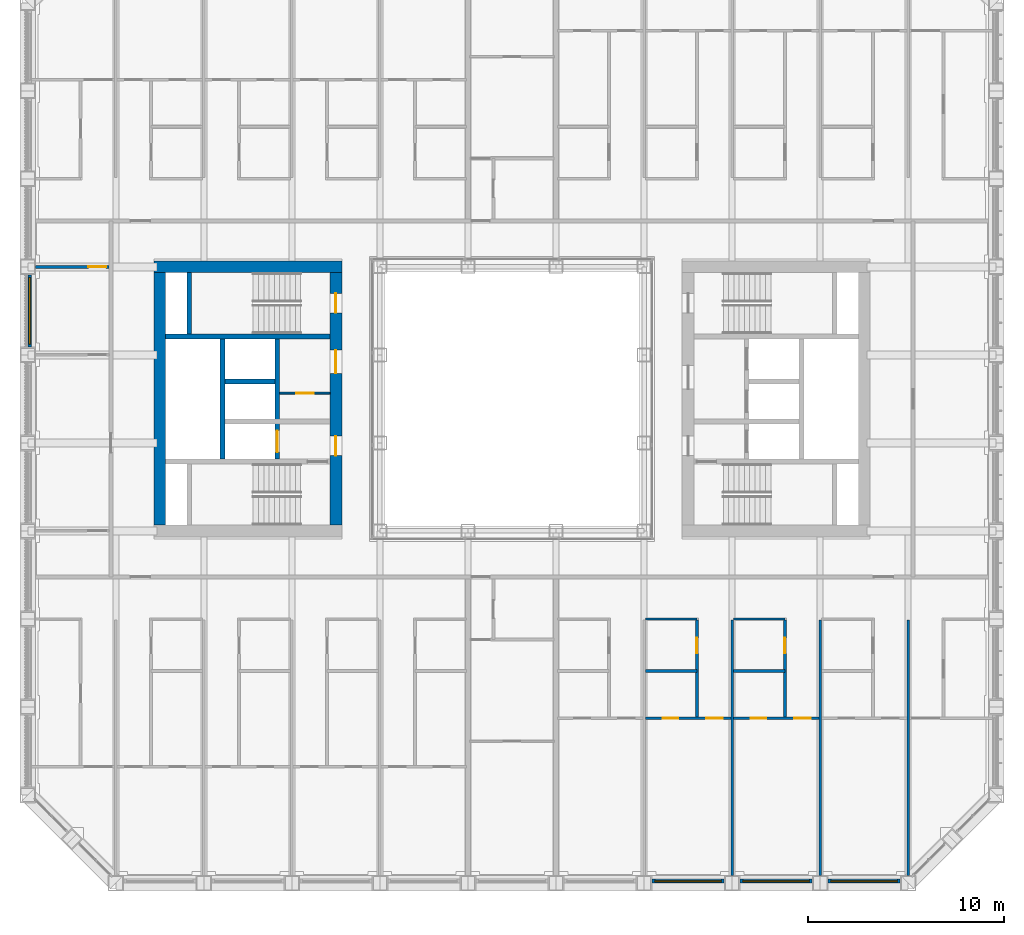
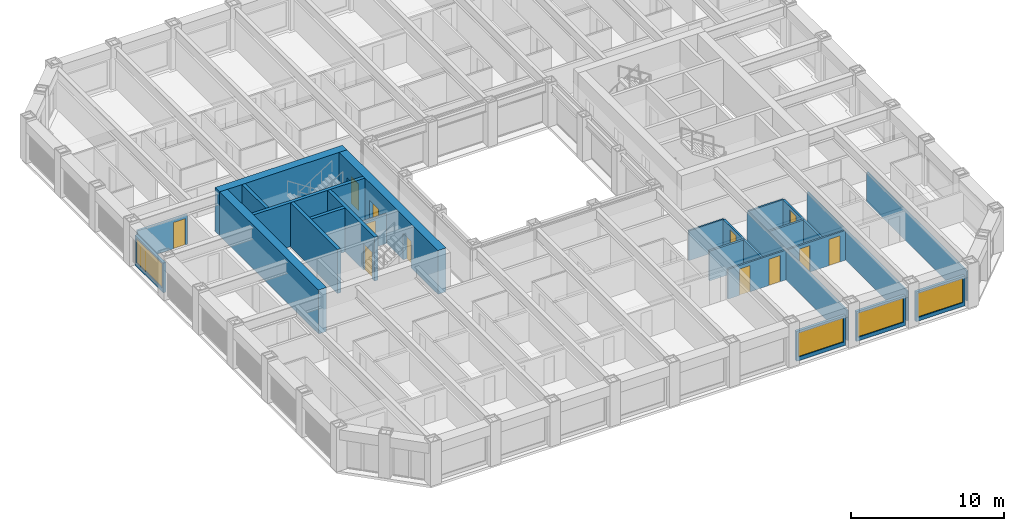
# One storey, part 11 of 21: 25 walls, 12 doors, 4 windows, 16 openings.
"""IFC4 building model written with IfcOpenShell, lengths in metres."""

from ifc_helpers import new_model, si_unit, direction, frame, frame_2d, origin, place, context, subcontext, project, spatial, rectangle, extrude, material, layer, layer_set, type_object, element, fill, save


model = new_model("IFC4")

# Units and contexts
model_context = context("Model", 3, precision=1e-05, world=origin(), true_north=direction((0.0, 1.0)))
body_context = subcontext(model_context, "Body", "Model", "MODEL_VIEW")
ifc_project = project(units=[si_unit("LENGTHUNIT", "METRE"), si_unit("AREAUNIT", "SQUARE_METRE"), si_unit("VOLUMEUNIT", "CUBIC_METRE"), si_unit("PLANEANGLEUNIT", "RADIAN"), si_unit("MASSUNIT", "GRAM", prefix="KILO")], contexts=[model_context])

# Site, building, storey
site_placement = place(None, origin())
site = spatial("IfcSite", under=ifc_project, at=site_placement, CompositionType="ELEMENT")
building_placement = place(site_placement, origin())
building = spatial("IfcBuilding", under=site, at=building_placement, Name="Msasa Ring Tower", CompositionType="ELEMENT")
storey_placement = place(building_placement, frame((0.0, 0.0, 100.0)))
storey = spatial("IfcBuildingStorey", under=building, at=storey_placement, Name="L26", CompositionType="ELEMENT", Elevation=100.0)

# Wall
ifc_material_1 = material(Name="Concrete C60/75", Category="concrete")
ifc_layer_1 = layer(ifc_material_1, 0.60009765625)
ifc_layer_set_1 = layer_set([ifc_layer_1], Name="CW1 CORE WALL 600")
wall_type_1 = type_object("IfcWallType", Name="CW1 CORE WALL 600", PredefinedType="SHEAR", material=ifc_layer_set_1)
wall_1_placement = place(storey_placement, frame((-8.699951171875, 6.75, 0.0), z_axis=(0.0, 0.0, 1.0), x_axis=(-1.0, 0.0, 0.0)))
element("IfcWall", 1, at=wall_1_placement, inside=storey, type_object=wall_type_1, Name="W core wall N L26", PredefinedType="SHEAR", context=body_context, shape_type="SweptSolid", body=[
    extrude(rectangle(XDim=9.60009765625, YDim=0.60009765625, at=frame_2d((4.800048828125, 0.0))), origin(), (0.0, 0.0, 1.0), 3.5),
])

# Wall, openings, doors
wall_2_placement = place(storey_placement, frame((-9.0, -6.449951171875, 0.0), z_axis=(0.0, 0.0, 1.0), x_axis=(0.0, 1.0, 0.0)))
wall_2 = element("IfcWall", 2, at=wall_2_placement, inside=storey, type_object=wall_type_1, Name="W core wall W L26", PredefinedType="SHEAR", context=body_context, shape_type="SweptSolid", body=[
    extrude(rectangle(XDim=12.89990234375, YDim=0.60009765625, at=frame_2d((6.449951171875, 0.0))), origin(), (0.0, 0.0, 1.0), 3.5),
])
opening_1_placement = place(wall_2_placement, frame((3.550048828125, 0.0, 0.0)))
opening_1 = element("IfcOpeningElement", 3, at=opening_1_placement, cuts=wall_2, Name="Opening RH-044", PredefinedType="OPENING", context=body_context, shape_type="SweptSolid", body=[
    extrude(rectangle(XDim=1.0, YDim=2.10009765625, at=frame_2d((0.5, 1.050048828125))), frame((0.0, 0.31005859375, 0.0), z_axis=(0.0, -1.0, 0.0), x_axis=(1.0, 0.0, 0.0)), (0.0, 0.0, 1.0), 0.6201171875),
])
opening_2_placement = place(wall_2_placement, frame((7.75, 0.0, 0.0)))
opening_2 = element("IfcOpeningElement", 4, at=opening_2_placement, cuts=wall_2, Name="Opening RH-039", PredefinedType="OPENING", context=body_context, shape_type="SweptSolid", body=[
    extrude(rectangle(XDim=1.199951171875, YDim=2.10009765625, at=frame_2d((0.60009765625, 1.050048828125))), frame((0.0, 0.31005859375, 0.0), z_axis=(0.0, -1.0, 0.0), x_axis=(1.0, 0.0, 0.0)), (0.0, 0.0, 1.0), 0.6201171875),
])
opening_3_placement = place(wall_2_placement, frame((10.85009765625, 0.0, 0.0)))
opening_3 = element("IfcOpeningElement", 5, at=opening_3_placement, cuts=wall_2, Name="Opening RH-036", PredefinedType="OPENING", context=body_context, shape_type="SweptSolid", body=[
    extrude(rectangle(XDim=1.0, YDim=2.10009765625, at=frame_2d((0.5, 1.050048828125))), frame((0.0, 0.31005859375, 0.0), z_axis=(0.0, -1.0, 0.0), x_axis=(1.0, 0.0, 0.0)), (0.0, 0.0, 1.0), 0.6201171875),
])
ifc_material_2 = material(Name="Timber door leaf in a steel frame", Category="steel")
door_type_1 = type_object("IfcDoorType", Name="D26 WIDE SERVICE ROOM DOOR 1200x2100", OperationType="SINGLE_SWING_LEFT", PredefinedType="DOOR", material=ifc_material_2)
door_1_placement = place(opening_2_placement, origin())
door_1 = element("IfcDoor", 6, at=door_1_placement, inside=storey, type_object=door_type_1, Name="Door L26-WCR", OperationType="SINGLE_SWING_RIGHT", OverallHeight=2.10009765625, OverallWidth=1.199951171875, PredefinedType="DOOR", context=body_context, shape_type="SweptSolid", body=[
    extrude(rectangle(XDim=1.199951171875, YDim=2.10009765625, at=frame_2d((0.60009765625, 1.050048828125))), frame((0.0, 0.02490234375, 0.0), z_axis=(0.0, -1.0, 0.0), x_axis=(1.0, 0.0, 0.0)), (0.0, 0.0, 1.0), 0.050048828125),
])
fill(opening_2, door_1)
ifc_material_3 = material(Name="Timber door leaf in a steel frame", Category="steel")
door_type_2 = type_object("IfcDoorType", Name="D4 LOBBY DOOR 1000x2100", OperationType="SINGLE_SWING_LEFT", PredefinedType="DOOR", material=ifc_material_3)
door_2_placement = place(opening_1_placement, origin())
door_2 = element("IfcDoor", 7, at=door_2_placement, inside=storey, type_object=door_type_2, Name="Door L26-WFFL", OperationType="SINGLE_SWING_LEFT", OverallHeight=2.10009765625, OverallWidth=1.0, PredefinedType="DOOR", context=body_context, shape_type="SweptSolid", body=[
    extrude(rectangle(XDim=1.0, YDim=2.10009765625, at=frame_2d((0.5, 1.050048828125))), frame((0.0, 0.02490234375, 0.0), z_axis=(0.0, -1.0, 0.0), x_axis=(1.0, 0.0, 0.0)), (0.0, 0.0, 1.0), 0.050048828125),
])
fill(opening_1, door_2)
ifc_material_4 = material(Name="Timber door leaf in a steel frame", Category="steel")
door_type_3 = type_object("IfcDoorType", Name="D6 STAIR DOOR 1000x2100", OperationType="SINGLE_SWING_LEFT", PredefinedType="DOOR", material=ifc_material_4)
door_3_placement = place(opening_3_placement, origin())
door_3 = element("IfcDoor", 8, at=door_3_placement, inside=storey, type_object=door_type_3, Name="Door L26-WSTB", OperationType="SINGLE_SWING_RIGHT", OverallHeight=2.10009765625, OverallWidth=1.0, PredefinedType="DOOR", context=body_context, shape_type="SweptSolid", body=[
    extrude(rectangle(XDim=1.0, YDim=2.10009765625, at=frame_2d((0.5, 1.050048828125))), frame((0.0, 0.02490234375, 0.0), z_axis=(0.0, -1.0, 0.0), x_axis=(1.0, 0.0, 0.0)), (0.0, 0.0, 1.0), 0.050048828125),
])
fill(opening_3, door_3)

# Walls
wall_3_placement = place(storey_placement, frame((-18.0, -6.449951171875, 0.0), z_axis=(0.0, 0.0, 1.0), x_axis=(0.0, 1.0, 0.0)))
element("IfcWall", 9, at=wall_3_placement, inside=storey, type_object=wall_type_1, Name="W core wall E L26", PredefinedType="SHEAR", context=body_context, shape_type="SweptSolid", body=[
    extrude(rectangle(XDim=12.89990234375, YDim=0.60009765625, at=frame_2d((6.449951171875, 0.0))), origin(), (0.0, 0.0, 1.0), 3.5),
])
ifc_material_5 = material(Name="Concrete C60/75", Category="concrete")
ifc_layer_2 = layer(ifc_material_5, 0.25)
ifc_layer_set_2 = layer_set([ifc_layer_2], Name="CW4 CORE INNER WALL 250")
wall_type_2 = type_object("IfcWallType", Name="CW4 CORE INNER WALL 250", PredefinedType="SHEAR", material=ifc_layer_set_2)
wall_4_placement = place(storey_placement, frame((-9.300048828125, 3.199951171875, 0.0), z_axis=(0.0, 0.0, 1.0), x_axis=(-1.0, 0.0, 0.0)))
element("IfcWall", 10, at=wall_4_placement, inside=storey, type_object=wall_type_2, Name="W core wall STAIRB L26", PredefinedType="SHEAR", context=body_context, shape_type="SweptSolid", body=[
    extrude(rectangle(XDim=8.39990234375, YDim=0.25, at=frame_2d((4.199951171875, 0.0))), origin(), (0.0, 0.0, 1.0), 3.5),
])
wall_5_placement = place(storey_placement, frame((-16.5, 3.324951171875, 0.0), z_axis=(0.0, 0.0, 1.0), x_axis=(0.0, 1.0, 0.0)))
element("IfcWall", 11, at=wall_5_placement, inside=storey, type_object=wall_type_2, Name="W core wall RISERB L26", PredefinedType="SHEAR", context=body_context, shape_type="SweptSolid", body=[
    extrude(rectangle(XDim=3.125, YDim=0.25, at=frame_2d((1.5625, 0.0))), origin(), (0.0, 0.0, 1.0), 3.5),
])

# Wall, opening, door
wall_6_placement = place(storey_placement, frame((-12.0, -3.074951171875, 0.0), z_axis=(0.0, 0.0, 1.0), x_axis=(0.0, 1.0, 0.0)))
wall_6 = element("IfcWall", 12, at=wall_6_placement, inside=storey, type_object=wall_type_2, Name="W core wall LOBBY L26", PredefinedType="SHEAR", context=body_context, shape_type="SweptSolid", body=[
    extrude(rectangle(XDim=6.14990234375, YDim=0.25, at=frame_2d((3.074951171875, 0.0))), origin(), (0.0, 0.0, 1.0), 3.5),
])
opening_4_placement = place(wall_6_placement, frame((0.35009765625, 0.0, 0.0)))
opening_4 = element("IfcOpeningElement", 13, at=opening_4_placement, cuts=wall_6, Name="Opening LD1", PredefinedType="OPENING", context=body_context, shape_type="SweptSolid", body=[
    extrude(rectangle(XDim=1.10009765625, YDim=2.10009765625, at=frame_2d((0.550048828125, 1.050048828125))), frame((0.0, 0.135009765625, 0.0), z_axis=(0.0, -1.0, 0.0), x_axis=(1.0, 0.0, 0.0)), (0.0, 0.0, 1.0), 0.27001953125),
])
ifc_material_6 = material(Name="Stainless steel lift landing door", Category="steel")
door_type_4 = type_object("IfcDoorType", Name="LD1 LIFT LANDING DOOR 1100x2100", OperationType="DOUBLE_DOOR_SLIDING", PredefinedType="DOOR", material=ifc_material_6)
door_4_placement = place(opening_4_placement, origin())
door_4 = element("IfcDoor", 14, at=door_4_placement, inside=storey, type_object=door_type_4, Name="Lift landing door FL-W L26", OperationType="DOUBLE_DOOR_SLIDING", OverallHeight=2.10009765625, OverallWidth=1.10009765625, PredefinedType="DOOR", context=body_context, shape_type="SweptSolid", body=[
    extrude(rectangle(XDim=1.10009765625, YDim=2.10009765625, at=frame_2d((0.550048828125, 1.050048828125))), frame((0.0, 0.02490234375, 0.0), z_axis=(0.0, -1.0, 0.0), x_axis=(1.0, 0.0, 0.0)), (0.0, 0.0, 1.0), 0.050048828125),
])
fill(opening_4, door_4)

# Walls
wall_7_placement = place(storey_placement, frame((-14.800048828125, -3.074951171875, 0.0), z_axis=(0.0, 0.0, 1.0), x_axis=(0.0, 1.0, 0.0)))
element("IfcWall", 15, at=wall_7_placement, inside=storey, type_object=wall_type_2, Name="W core wall SHAFT L26", PredefinedType="SHEAR", context=body_context, shape_type="SweptSolid", body=[
    extrude(rectangle(XDim=6.14990234375, YDim=0.25, at=frame_2d((3.074951171875, 0.0))), origin(), (0.0, 0.0, 1.0), 3.5),
])
wall_8_placement = place(storey_placement, frame((-12.125, 0.89990234375, 0.0), z_axis=(0.0, 0.0, 1.0), x_axis=(-1.0, 0.0, 0.0)))
element("IfcWall", 16, at=wall_8_placement, inside=storey, type_object=wall_type_2, Name="W core wall LIFT1 L26", PredefinedType="SHEAR", context=body_context, shape_type="SweptSolid", body=[
    extrude(rectangle(XDim=2.550048828125, YDim=0.25, at=frame_2d((1.27490234375, 0.0))), origin(), (0.0, 0.0, 1.0), 3.5),
])

# Wall, opening, window
ifc_material_7 = material(Name="Terracotta rainscreen on blockwork", Category="masonry")
ifc_layer_3 = layer(ifc_material_7, 0.199951171875)
ifc_layer_set_3 = layer_set([ifc_layer_3], Name="FW1 TERRACOTTA-LINED INFILL BAY WALL 200")
wall_type_3 = type_object("IfcWallType", Name="FW1 TERRACOTTA-LINED INFILL BAY WALL 200", PredefinedType="SOLIDWALL", material=ifc_layer_set_3)
wall_9_placement = place(storey_placement, frame((7.155029296875, -24.64990234375, 0.0), z_axis=(0.0, 0.0, 1.0), x_axis=(1.0, 0.0, 0.0)))
wall_9 = element("IfcWall", 17, at=wall_9_placement, inside=storey, type_object=wall_type_3, Name="Infill bay wall S L26 06", PredefinedType="SOLIDWALL", context=body_context, shape_type="SweptSolid", body=[
    extrude(rectangle(XDim=3.68994140625, YDim=0.199951171875, at=frame_2d((1.844970703125, 0.0))), origin(), (0.0, 0.0, 1.0), 2.37890625),
])
opening_5_placement = place(wall_9_placement, frame((0.14501953125, 0.0, 0.300048828125)))
opening_5 = element("IfcOpeningElement", 18, at=opening_5_placement, cuts=wall_9, Name="Opening WN1", PredefinedType="OPENING", context=body_context, shape_type="SweptSolid", body=[
    extrude(rectangle(XDim=3.39990234375, YDim=1.928955078125, at=frame_2d((1.699951171875, 0.96435546875))), frame((0.0, 0.10986328125, 0.0), z_axis=(0.0, -1.0, 0.0), x_axis=(1.0, 0.0, 0.0)), (0.0, 0.0, 1.0), 0.219970703125),
])
ifc_material_8 = material(Name="Aluminium frame with clear glass", Category="aluminium")
window_type = type_object("IfcWindowType", Name="WN1 RESIDENCE WINDOW 3400x1929", PartitioningType="SINGLE_PANEL", PredefinedType="WINDOW", material=ifc_material_8)
window_1_placement = place(opening_5_placement, origin())
window_1 = element("IfcWindow", 19, at=window_1_placement, inside=storey, type_object=window_type, Name="Window S L26 06", OverallHeight=1.928955078125, OverallWidth=3.39990234375, PartitioningType="SINGLE_PANEL", PredefinedType="WINDOW", context=body_context, shape_type="SweptSolid", body=[
    extrude(rectangle(XDim=3.39990234375, YDim=1.928955078125, at=frame_2d((1.699951171875, 0.96435546875))), frame((0.0, 0.030029296875, 0.0), z_axis=(0.0, -1.0, 0.0), x_axis=(1.0, 0.0, 0.0)), (0.0, 0.0, 1.0), 0.06005859375),
])
fill(opening_5, window_1)

wall_10_placement = place(storey_placement, frame((11.655029296875, -24.64990234375, 0.0), z_axis=(0.0, 0.0, 1.0), x_axis=(1.0, 0.0, 0.0)))
wall_10 = element("IfcWall", 20, at=wall_10_placement, inside=storey, type_object=wall_type_3, Name="Infill bay wall S L26 07", PredefinedType="SOLIDWALL", context=body_context, shape_type="SweptSolid", body=[
    extrude(rectangle(XDim=3.68994140625, YDim=0.199951171875, at=frame_2d((1.844970703125, 0.0))), origin(), (0.0, 0.0, 1.0), 2.37890625),
])
opening_6_placement = place(wall_10_placement, frame((0.14501953125, 0.0, 0.300048828125)))
opening_6 = element("IfcOpeningElement", 21, at=opening_6_placement, cuts=wall_10, Name="Opening WN1", PredefinedType="OPENING", context=body_context, shape_type="SweptSolid", body=[
    extrude(rectangle(XDim=3.39990234375, YDim=1.928955078125, at=frame_2d((1.699951171875, 0.96435546875))), frame((0.0, 0.10986328125, 0.0), z_axis=(0.0, -1.0, 0.0), x_axis=(1.0, 0.0, 0.0)), (0.0, 0.0, 1.0), 0.219970703125),
])
window_2_placement = place(opening_6_placement, origin())
window_2 = element("IfcWindow", 22, at=window_2_placement, inside=storey, type_object=window_type, Name="Window S L26 07", OverallHeight=1.928955078125, OverallWidth=3.39990234375, PartitioningType="SINGLE_PANEL", PredefinedType="WINDOW", context=body_context, shape_type="SweptSolid", body=[
    extrude(rectangle(XDim=3.39990234375, YDim=1.928955078125, at=frame_2d((1.699951171875, 0.96435546875))), frame((0.0, 0.030029296875, 0.0), z_axis=(0.0, -1.0, 0.0), x_axis=(1.0, 0.0, 0.0)), (0.0, 0.0, 1.0), 0.06005859375),
])
fill(opening_6, window_2)

wall_11_placement = place(storey_placement, frame((16.155029296875, -24.64990234375, 0.0), z_axis=(0.0, 0.0, 1.0), x_axis=(1.0, 0.0, 0.0)))
wall_11 = element("IfcWall", 23, at=wall_11_placement, inside=storey, type_object=wall_type_3, Name="Infill bay wall S L26 08", PredefinedType="SOLIDWALL", context=body_context, shape_type="SweptSolid", body=[
    extrude(rectangle(XDim=3.68994140625, YDim=0.199951171875, at=frame_2d((1.844970703125, 0.0))), origin(), (0.0, 0.0, 1.0), 2.37890625),
])
opening_7_placement = place(wall_11_placement, frame((0.14501953125, 0.0, 0.300048828125)))
opening_7 = element("IfcOpeningElement", 24, at=opening_7_placement, cuts=wall_11, Name="Opening WN1", PredefinedType="OPENING", context=body_context, shape_type="SweptSolid", body=[
    extrude(rectangle(XDim=3.39990234375, YDim=1.928955078125, at=frame_2d((1.699951171875, 0.96435546875))), frame((0.0, 0.10986328125, 0.0), z_axis=(0.0, -1.0, 0.0), x_axis=(1.0, 0.0, 0.0)), (0.0, 0.0, 1.0), 0.219970703125),
])
window_3_placement = place(opening_7_placement, origin())
window_3 = element("IfcWindow", 25, at=window_3_placement, inside=storey, type_object=window_type, Name="Window S L26 08", OverallHeight=1.928955078125, OverallWidth=3.39990234375, PartitioningType="SINGLE_PANEL", PredefinedType="WINDOW", context=body_context, shape_type="SweptSolid", body=[
    extrude(rectangle(XDim=3.39990234375, YDim=1.928955078125, at=frame_2d((1.699951171875, 0.96435546875))), frame((0.0, 0.030029296875, 0.0), z_axis=(0.0, -1.0, 0.0), x_axis=(1.0, 0.0, 0.0)), (0.0, 0.0, 1.0), 0.06005859375),
])
fill(opening_7, window_3)

wall_12_placement = place(storey_placement, frame((-24.64990234375, 2.655029296875, 0.0), z_axis=(0.0, 0.0, 1.0), x_axis=(0.0, 1.0, 0.0)))
wall_12 = element("IfcWall", 26, at=wall_12_placement, inside=storey, type_object=wall_type_3, Name="Infill bay wall W L26 38", PredefinedType="SOLIDWALL", context=body_context, shape_type="SweptSolid", body=[
    extrude(rectangle(XDim=3.68994140625, YDim=0.199951171875, at=frame_2d((1.844970703125, 0.0))), origin(), (0.0, 0.0, 1.0), 2.37890625),
])
opening_8_placement = place(wall_12_placement, frame((0.14501953125, 0.0, 0.300048828125)))
opening_8 = element("IfcOpeningElement", 27, at=opening_8_placement, cuts=wall_12, Name="Opening WN1", PredefinedType="OPENING", context=body_context, shape_type="SweptSolid", body=[
    extrude(rectangle(XDim=3.39990234375, YDim=1.928955078125, at=frame_2d((1.699951171875, 0.96435546875))), frame((0.0, 0.10986328125, 0.0), z_axis=(0.0, -1.0, 0.0), x_axis=(1.0, 0.0, 0.0)), (0.0, 0.0, 1.0), 0.219970703125),
])
window_4_placement = place(opening_8_placement, origin())
window_4 = element("IfcWindow", 28, at=window_4_placement, inside=storey, type_object=window_type, Name="Window W L26 38", OverallHeight=1.928955078125, OverallWidth=3.39990234375, PartitioningType="SINGLE_PANEL", PredefinedType="WINDOW", context=body_context, shape_type="SweptSolid", body=[
    extrude(rectangle(XDim=3.39990234375, YDim=1.928955078125, at=frame_2d((1.699951171875, 0.96435546875))), frame((0.0, 0.030029296875, 0.0), z_axis=(0.0, -1.0, 0.0), x_axis=(1.0, 0.0, 0.0)), (0.0, 0.0, 1.0), 0.06005859375),
])
fill(opening_8, window_4)

# Wall, opening, door
ifc_material_9 = material(Name="Gypsum board on steel studs", Category="steel")
ifc_layer_4 = layer(ifc_material_9, 0.10009765625)
ifc_layer_set_4 = layer_set([ifc_layer_4], Name="PT2 STUD PARTITION 100")
wall_type_4 = type_object("IfcWallType", Name="PT2 STUD PARTITION 100", PredefinedType="PARTITIONING", material=ifc_layer_set_4)
wall_13_placement = place(storey_placement, frame((-11.875, 0.300048828125, 0.0), z_axis=(0.0, 0.0, 1.0), x_axis=(1.0, 0.0, 0.0)))
wall_13 = element("IfcWall", 29, at=wall_13_placement, inside=storey, type_object=wall_type_4, Name="Partition L26-WCP", PredefinedType="PARTITIONING", context=body_context, shape_type="SweptSolid", body=[
    extrude(rectangle(XDim=2.574951171875, YDim=0.10009765625, at=frame_2d((1.28759765625, 0.0))), origin(), (0.0, 0.0, 1.0), 2.373291015625),
])
opening_9_placement = place(wall_13_placement, frame((0.83740234375, 0.0, 0.0)))
opening_9 = element("IfcOpeningElement", 30, at=opening_9_placement, cuts=wall_13, Name="Opening RH-041", PredefinedType="OPENING", context=body_context, shape_type="SweptSolid", body=[
    extrude(rectangle(XDim=0.89990234375, YDim=2.10009765625, at=frame_2d((0.449951171875, 1.050048828125))), frame((0.0, 0.06005859375, 0.0), z_axis=(0.0, -1.0, 0.0), x_axis=(1.0, 0.0, 0.0)), (0.0, 0.0, 1.0), 0.1201171875),
])
ifc_material_10 = material(Name="Timber door leaf in a steel frame", Category="steel")
door_type_5 = type_object("IfcDoorType", Name="D22 INTERNAL HALL DOOR 900x2100", OperationType="SINGLE_SWING_LEFT", PredefinedType="DOOR", material=ifc_material_10)
door_5_placement = place(opening_9_placement, origin())
door_5 = element("IfcDoor", 31, at=door_5_placement, inside=storey, type_object=door_type_5, Name="Door L26-WCP", OperationType="SINGLE_SWING_LEFT", OverallHeight=2.10009765625, OverallWidth=0.89990234375, PredefinedType="DOOR", context=body_context, shape_type="SweptSolid", body=[
    extrude(rectangle(XDim=0.89990234375, YDim=2.10009765625, at=frame_2d((0.449951171875, 1.050048828125))), frame((0.0, 0.02490234375, 0.0), z_axis=(0.0, -1.0, 0.0), x_axis=(1.0, 0.0, 0.0)), (0.0, 0.0, 1.0), 0.050048828125),
])
fill(opening_9, door_5)

ifc_material_11 = material(Name="Moisture-resistant board on steel studs with a concealed cistern and pipe void, tiled", Category="steel")
ifc_layer_5 = layer(ifc_material_11, 0.14990234375)
ifc_layer_set_5 = layer_set([ifc_layer_5], Name="PT4 BATHROOM WET WALL 150")
wall_type_5 = type_object("IfcWallType", Name="PT4 BATHROOM WET WALL 150", PredefinedType="PARTITIONING", material=ifc_layer_set_5)
wall_14_placement = place(storey_placement, frame((13.949951171875, -16.3125, 0.0), z_axis=(0.0, 0.0, 1.0), x_axis=(0.0, 1.0, 0.0)))
wall_14 = element("IfcWall", 32, at=wall_14_placement, inside=storey, type_object=wall_type_5, Name="Partition L26-US02SX2", PredefinedType="PARTITIONING", context=body_context, shape_type="SweptSolid", body=[
    extrude(rectangle(XDim=5.0, YDim=0.14990234375, at=frame_2d((2.5, 0.0))), origin(), (0.0, 0.0, 1.0), 2.373291015625),
])
opening_10_placement = place(wall_14_placement, frame((3.300048828125, 0.0, 0.0)))
opening_10 = element("IfcOpeningElement", 33, at=opening_10_placement, cuts=wall_14, Name="Opening RH-060", PredefinedType="OPENING", context=body_context, shape_type="SweptSolid", body=[
    extrude(rectangle(XDim=0.800048828125, YDim=2.10009765625, at=frame_2d((0.39990234375, 1.050048828125))), frame((0.0, 0.0849609375, 0.0), z_axis=(0.0, -1.0, 0.0), x_axis=(1.0, 0.0, 0.0)), (0.0, 0.0, 1.0), 0.169921875),
])
ifc_material_12 = material(Name="Timber door leaf in a steel frame", Category="steel")
door_type_6 = type_object("IfcDoorType", Name="D21 POCKET SLIDING BATHROOM DOOR 800x2100", OperationType="SINGLE_SWING_LEFT", PredefinedType="DOOR", material=ifc_material_12)
door_6_placement = place(opening_10_placement, origin())
door_6 = element("IfcDoor", 34, at=door_6_placement, inside=storey, type_object=door_type_6, Name="Door L26-US02B2", OperationType="SINGLE_SWING_RIGHT", OverallHeight=2.10009765625, OverallWidth=0.800048828125, PredefinedType="DOOR", context=body_context, shape_type="SweptSolid", body=[
    extrude(rectangle(XDim=0.800048828125, YDim=2.10009765625, at=frame_2d((0.39990234375, 1.050048828125))), frame((0.0, 0.02490234375, 0.0), z_axis=(0.0, -1.0, 0.0), x_axis=(1.0, 0.0, 0.0)), (0.0, 0.0, 1.0), 0.050048828125),
])
fill(opening_10, door_6)

# Wall
wall_15_placement = place(storey_placement, frame((11.3125, -13.91259765625, 0.0), z_axis=(0.0, 0.0, 1.0), x_axis=(1.0, 0.0, 0.0)))
element("IfcWall", 35, at=wall_15_placement, inside=storey, type_object=wall_type_5, Name="Partition L26-US02SB2", PredefinedType="PARTITIONING", context=body_context, shape_type="SweptSolid", body=[
    extrude(rectangle(XDim=2.637451171875, YDim=0.14990234375, at=frame_2d((1.31884765625, 0.0))), origin(), (0.0, 0.0, 1.0), 2.373291015625),
])

# Wall, opening, door
wall_16_placement = place(storey_placement, frame((9.449951171875, -16.3125, 0.0), z_axis=(0.0, 0.0, 1.0), x_axis=(0.0, 1.0, 0.0)))
wall_16 = element("IfcWall", 36, at=wall_16_placement, inside=storey, type_object=wall_type_5, Name="Partition L26-US02SX3", PredefinedType="PARTITIONING", context=body_context, shape_type="SweptSolid", body=[
    extrude(rectangle(XDim=5.0, YDim=0.14990234375, at=frame_2d((2.5, 0.0))), origin(), (0.0, 0.0, 1.0), 2.373291015625),
])
opening_11_placement = place(wall_16_placement, frame((3.300048828125, 0.0, 0.0)))
opening_11 = element("IfcOpeningElement", 37, at=opening_11_placement, cuts=wall_16, Name="Opening RH-059", PredefinedType="OPENING", context=body_context, shape_type="SweptSolid", body=[
    extrude(rectangle(XDim=0.800048828125, YDim=2.10009765625, at=frame_2d((0.39990234375, 1.050048828125))), frame((0.0, 0.0849609375, 0.0), z_axis=(0.0, -1.0, 0.0), x_axis=(1.0, 0.0, 0.0)), (0.0, 0.0, 1.0), 0.169921875),
])
door_7_placement = place(opening_11_placement, origin())
door_7 = element("IfcDoor", 38, at=door_7_placement, inside=storey, type_object=door_type_6, Name="Door L26-US02B3", OperationType="SINGLE_SWING_RIGHT", OverallHeight=2.10009765625, OverallWidth=0.800048828125, PredefinedType="DOOR", context=body_context, shape_type="SweptSolid", body=[
    extrude(rectangle(XDim=0.800048828125, YDim=2.10009765625, at=frame_2d((0.39990234375, 1.050048828125))), frame((0.0, 0.02490234375, 0.0), z_axis=(0.0, -1.0, 0.0), x_axis=(1.0, 0.0, 0.0)), (0.0, 0.0, 1.0), 0.050048828125),
])
fill(opening_11, door_7)

# Wall
wall_17_placement = place(storey_placement, frame((6.8125, -13.91259765625, 0.0), z_axis=(0.0, 0.0, 1.0), x_axis=(1.0, 0.0, 0.0)))
element("IfcWall", 39, at=wall_17_placement, inside=storey, type_object=wall_type_5, Name="Partition L26-US02SB3", PredefinedType="PARTITIONING", context=body_context, shape_type="SweptSolid", body=[
    extrude(rectangle(XDim=2.637451171875, YDim=0.14990234375, at=frame_2d((1.31884765625, 0.0))), origin(), (0.0, 0.0, 1.0), 2.373291015625),
])

# Wall, opening, door
wall_18_placement = place(storey_placement, frame((-24.35009765625, 6.75, 0.0), z_axis=(0.0, 0.0, 1.0), x_axis=(1.0, 0.0, 0.0)))
wall_18 = element("IfcWall", 40, at=wall_18_placement, inside=storey, type_object=wall_type_5, Name="Partition L26-STWBY", PredefinedType="PARTITIONING", context=body_context, shape_type="SweptSolid", body=[
    extrude(rectangle(XDim=3.75, YDim=0.14990234375, at=frame_2d((1.875, 0.0))), origin(), (0.0, 0.0, 1.0), 2.373291015625),
])
opening_12_placement = place(wall_18_placement, frame((2.699951171875, 0.0, 0.0)))
opening_12 = element("IfcOpeningElement", 41, at=opening_12_placement, cuts=wall_18, Name="Opening RH-035", PredefinedType="OPENING", context=body_context, shape_type="SweptSolid", body=[
    extrude(rectangle(XDim=0.89990234375, YDim=2.10009765625, at=frame_2d((0.449951171875, 1.050048828125))), frame((0.0, 0.0849609375, 0.0), z_axis=(0.0, -1.0, 0.0), x_axis=(1.0, 0.0, 0.0)), (0.0, 0.0, 1.0), 0.169921875),
])
ifc_material_13 = material(Name="Timber door leaf in a steel frame", Category="steel")
door_type_7 = type_object("IfcDoorType", Name="D3 BATHROOM DOOR 900x2100", OperationType="SINGLE_SWING_LEFT", PredefinedType="DOOR", material=ifc_material_13)
door_8_placement = place(opening_12_placement, origin())
door_8 = element("IfcDoor", 42, at=door_8_placement, inside=storey, type_object=door_type_7, Name="Door L26-STWB", OperationType="SINGLE_SWING_RIGHT", OverallHeight=2.10009765625, OverallWidth=0.89990234375, PredefinedType="DOOR", context=body_context, shape_type="SweptSolid", body=[
    extrude(rectangle(XDim=0.89990234375, YDim=2.10009765625, at=frame_2d((0.449951171875, 1.050048828125))), frame((0.0, 0.02490234375, 0.0), z_axis=(0.0, -1.0, 0.0), x_axis=(1.0, 0.0, 0.0)), (0.0, 0.0, 1.0), 0.050048828125),
])
fill(opening_12, door_8)

# Walls
ifc_material_14 = material(Name="Two layers of acoustic board each face on steel studs, mineral wool", Category="steel")
ifc_layer_6 = layer(ifc_material_14, 0.125)
ifc_layer_set_6 = layer_set([ifc_layer_6], Name="PT6 ACOUSTIC DOUBLE-BOARD PARTITION 125")
wall_type_6 = type_object("IfcWallType", Name="PT6 ACOUSTIC DOUBLE-BOARD PARTITION 125", PredefinedType="PARTITIONING", material=ifc_layer_set_6)
for number, where, z_axis, x_axis, name in (
    (43, (20.25, -24.35009765625, 0.0), (0.0, 0.0, 1.0), (0.0, 1.0, 0.0), "Partition L26-US02P1"),
    (44, (15.75, -24.35009765625, 0.0), (0.0, 0.0, 1.0), (0.0, 1.0, 0.0), "Partition L26-US02P2"),
):
    element("IfcWall", number, at=place(storey_placement, frame(where, z_axis=z_axis, x_axis=x_axis)), inside=storey, type_object=wall_type_6, Name=name, PredefinedType="PARTITIONING", context=body_context, shape_type="SweptSolid", body=[
        extrude(rectangle(XDim=13.03759765625, YDim=0.125, at=frame_2d((6.518798828125, 0.0))), origin(), (0.0, 0.0, 1.0), 2.373291015625),
    ])
wall_19_placement = place(storey_placement, frame((11.3173828125, -11.25, 0.0), z_axis=(0.0, 0.0, 1.0), x_axis=(1.0, 0.0, 0.0)))
element("IfcWall", 45, at=wall_19_placement, inside=storey, type_object=wall_type_6, Name="Partition L26-US02HY2", PredefinedType="PARTITIONING", context=body_context, shape_type="SweptSolid", body=[
    extrude(rectangle(XDim=2.632568359375, YDim=0.125, at=frame_2d((1.31640625, 0.0))), origin(), (0.0, 0.0, 1.0), 2.373291015625),
])

# Wall, openings, doors
wall_20_placement = place(storey_placement, frame((11.3125, -16.3125, 0.0), z_axis=(0.0, 0.0, 1.0), x_axis=(1.0, 0.0, 0.0)))
wall_20 = element("IfcWall", 46, at=wall_20_placement, inside=storey, type_object=wall_type_6, Name="Partition L26-US02SY2", PredefinedType="PARTITIONING", context=body_context, shape_type="SweptSolid", body=[
    extrude(rectangle(XDim=4.375, YDim=0.125, at=frame_2d((2.1875, 0.0))), origin(), (0.0, 0.0, 1.0), 2.373291015625),
])
opening_13_placement = place(wall_20_placement, frame((3.112548828125, 0.0, 0.0)))
opening_13 = element("IfcOpeningElement", 47, at=opening_13_placement, cuts=wall_20, Name="Opening RH-069", PredefinedType="OPENING", context=body_context, shape_type="SweptSolid", body=[
    extrude(rectangle(XDim=0.85009765625, YDim=2.10009765625, at=frame_2d((0.425048828125, 1.050048828125))), frame((0.0, 0.072509765625, 0.0), z_axis=(0.0, -1.0, 0.0), x_axis=(1.0, 0.0, 0.0)), (0.0, 0.0, 1.0), 0.14501953125),
])
opening_14_placement = place(wall_20_placement, frame((0.88134765625, 0.0, 0.0)))
opening_14 = element("IfcOpeningElement", 48, at=opening_14_placement, cuts=wall_20, Name="Opening RH-068", PredefinedType="OPENING", context=body_context, shape_type="SweptSolid", body=[
    extrude(rectangle(XDim=0.800048828125, YDim=2.10009765625, at=frame_2d((0.39990234375, 1.050048828125))), frame((0.0, 0.072509765625, 0.0), z_axis=(0.0, -1.0, 0.0), x_axis=(1.0, 0.0, 0.0)), (0.0, 0.0, 1.0), 0.14501953125),
])
ifc_material_15 = material(Name="Timber door leaf in a steel frame", Category="steel")
door_type_8 = type_object("IfcDoorType", Name="D14 BEDROOM DOOR 850x2100", OperationType="SINGLE_SWING_LEFT", PredefinedType="DOOR", material=ifc_material_15)
door_9_placement = place(opening_13_placement, origin())
door_9 = element("IfcDoor", 49, at=door_9_placement, inside=storey, type_object=door_type_8, Name="Door L26-US02R2", OperationType="SINGLE_SWING_RIGHT", OverallHeight=2.10009765625, OverallWidth=0.85009765625, PredefinedType="DOOR", context=body_context, shape_type="SweptSolid", body=[
    extrude(rectangle(XDim=0.85009765625, YDim=2.10009765625, at=frame_2d((0.425048828125, 1.050048828125))), frame((0.0, 0.02490234375, 0.0), z_axis=(0.0, -1.0, 0.0), x_axis=(1.0, 0.0, 0.0)), (0.0, 0.0, 1.0), 0.050048828125),
])
fill(opening_13, door_9)
ifc_material_16 = material(Name="Timber door leaf in a steel frame", Category="steel")
door_type_9 = type_object("IfcDoorType", Name="D60 DRESSING ROOM DOOR 800x2100", OperationType="SINGLE_SWING_LEFT", PredefinedType="DOOR", material=ifc_material_16)
door_10_placement = place(opening_14_placement, origin())
door_10 = element("IfcDoor", 50, at=door_10_placement, inside=storey, type_object=door_type_9, Name="Door L26-US02W2", OperationType="SINGLE_SWING_LEFT", OverallHeight=2.10009765625, OverallWidth=0.800048828125, PredefinedType="DOOR", context=body_context, shape_type="SweptSolid", body=[
    extrude(rectangle(XDim=0.800048828125, YDim=2.10009765625, at=frame_2d((0.39990234375, 1.050048828125))), frame((0.0, 0.02490234375, 0.0), z_axis=(0.0, -1.0, 0.0), x_axis=(1.0, 0.0, 0.0)), (0.0, 0.0, 1.0), 0.050048828125),
])
fill(opening_14, door_10)

# Walls
wall_21_placement = place(storey_placement, frame((11.25, -24.35009765625, 0.0), z_axis=(0.0, 0.0, 1.0), x_axis=(0.0, 1.0, 0.0)))
element("IfcWall", 51, at=wall_21_placement, inside=storey, type_object=wall_type_6, Name="Partition L26-US02P3", PredefinedType="PARTITIONING", context=body_context, shape_type="SweptSolid", body=[
    extrude(rectangle(XDim=13.03759765625, YDim=0.125, at=frame_2d((6.518798828125, 0.0))), origin(), (0.0, 0.0, 1.0), 2.373291015625),
])
wall_22_placement = place(storey_placement, frame((6.8173828125, -11.25, 0.0), z_axis=(0.0, 0.0, 1.0), x_axis=(1.0, 0.0, 0.0)))
element("IfcWall", 52, at=wall_22_placement, inside=storey, type_object=wall_type_6, Name="Partition L26-US02HY3", PredefinedType="PARTITIONING", context=body_context, shape_type="SweptSolid", body=[
    extrude(rectangle(XDim=2.632568359375, YDim=0.125, at=frame_2d((1.31640625, 0.0))), origin(), (0.0, 0.0, 1.0), 2.373291015625),
])

# Wall, openings, doors
wall_23_placement = place(storey_placement, frame((6.8125, -16.3125, 0.0), z_axis=(0.0, 0.0, 1.0), x_axis=(1.0, 0.0, 0.0)))
wall_23 = element("IfcWall", 53, at=wall_23_placement, inside=storey, type_object=wall_type_6, Name="Partition L26-US02SY3", PredefinedType="PARTITIONING", context=body_context, shape_type="SweptSolid", body=[
    extrude(rectangle(XDim=4.375, YDim=0.125, at=frame_2d((2.1875, 0.0))), origin(), (0.0, 0.0, 1.0), 2.373291015625),
])
opening_15_placement = place(wall_23_placement, frame((3.112548828125, 0.0, 0.0)))
opening_15 = element("IfcOpeningElement", 54, at=opening_15_placement, cuts=wall_23, Name="Opening RH-067", PredefinedType="OPENING", context=body_context, shape_type="SweptSolid", body=[
    extrude(rectangle(XDim=0.85009765625, YDim=2.10009765625, at=frame_2d((0.425048828125, 1.050048828125))), frame((0.0, 0.072509765625, 0.0), z_axis=(0.0, -1.0, 0.0), x_axis=(1.0, 0.0, 0.0)), (0.0, 0.0, 1.0), 0.14501953125),
])
opening_16_placement = place(wall_23_placement, frame((0.88134765625, 0.0, 0.0)))
opening_16 = element("IfcOpeningElement", 55, at=opening_16_placement, cuts=wall_23, Name="Opening RH-066", PredefinedType="OPENING", context=body_context, shape_type="SweptSolid", body=[
    extrude(rectangle(XDim=0.800048828125, YDim=2.10009765625, at=frame_2d((0.39990234375, 1.050048828125))), frame((0.0, 0.072509765625, 0.0), z_axis=(0.0, -1.0, 0.0), x_axis=(1.0, 0.0, 0.0)), (0.0, 0.0, 1.0), 0.14501953125),
])
door_11_placement = place(opening_15_placement, origin())
door_11 = element("IfcDoor", 56, at=door_11_placement, inside=storey, type_object=door_type_8, Name="Door L26-US02R3", OperationType="SINGLE_SWING_RIGHT", OverallHeight=2.10009765625, OverallWidth=0.85009765625, PredefinedType="DOOR", context=body_context, shape_type="SweptSolid", body=[
    extrude(rectangle(XDim=0.85009765625, YDim=2.10009765625, at=frame_2d((0.425048828125, 1.050048828125))), frame((0.0, 0.02490234375, 0.0), z_axis=(0.0, -1.0, 0.0), x_axis=(1.0, 0.0, 0.0)), (0.0, 0.0, 1.0), 0.050048828125),
])
fill(opening_15, door_11)
door_12_placement = place(opening_16_placement, origin())
door_12 = element("IfcDoor", 57, at=door_12_placement, inside=storey, type_object=door_type_9, Name="Door L26-US02W3", OperationType="SINGLE_SWING_LEFT", OverallHeight=2.10009765625, OverallWidth=0.800048828125, PredefinedType="DOOR", context=body_context, shape_type="SweptSolid", body=[
    extrude(rectangle(XDim=0.800048828125, YDim=2.10009765625, at=frame_2d((0.39990234375, 1.050048828125))), frame((0.0, 0.02490234375, 0.0), z_axis=(0.0, -1.0, 0.0), x_axis=(1.0, 0.0, 0.0)), (0.0, 0.0, 1.0), 0.050048828125),
])
fill(opening_16, door_12)

save(model, "model.ifc")
